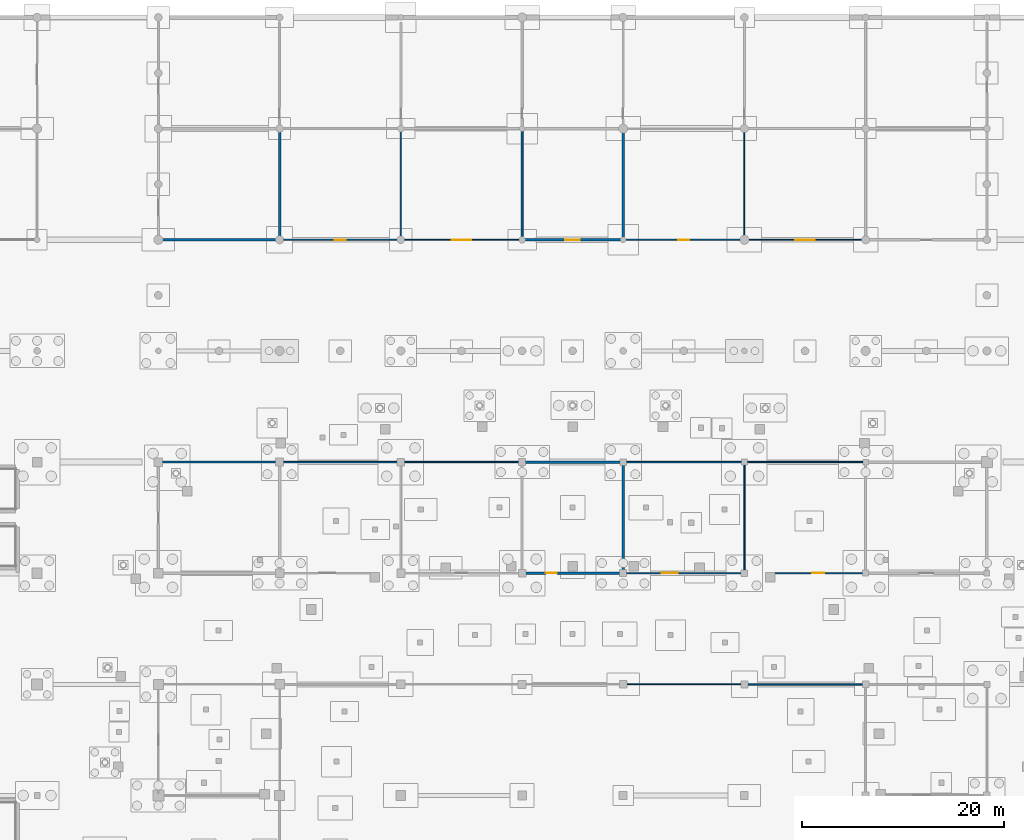
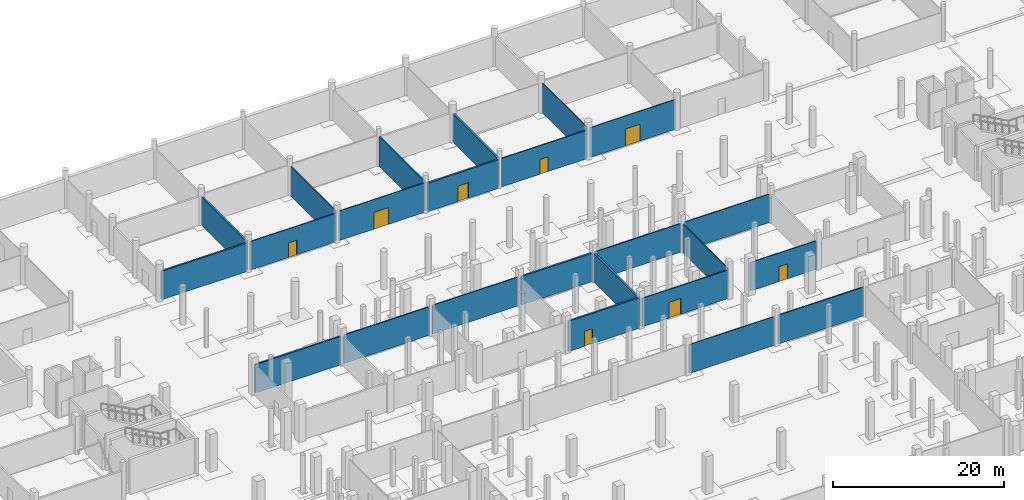
# One storey, part 35 of 60: 24 walls, 8 doors, 8 openings.
"""IFC4 building model written with IfcOpenShell, lengths in metres."""

from ifc_helpers import new_model, si_unit, direction, frame, frame_2d, origin, place, context, subcontext, project, spatial, rectangle, extrude, material, layer, layer_set, type_object, element, fill, save


model = new_model("IFC4")

# Units and contexts
model_context = context("Model", 3, precision=1e-05, world=origin(), true_north=direction((0.0, 1.0)))
body_context = subcontext(model_context, "Body", "Model", "MODEL_VIEW")
ifc_project = project(units=[si_unit("LENGTHUNIT", "METRE"), si_unit("AREAUNIT", "SQUARE_METRE"), si_unit("VOLUMEUNIT", "CUBIC_METRE"), si_unit("PLANEANGLEUNIT", "RADIAN"), si_unit("MASSUNIT", "GRAM", prefix="KILO")], contexts=[model_context])

# Site, building, storey
site_placement = place(None, origin())
site = spatial("IfcSite", under=ifc_project, at=site_placement, CompositionType="ELEMENT")
building_placement = place(site_placement, origin())
building = spatial("IfcBuilding", under=site, at=building_placement, Name="Luwafu Chhajja Arena", CompositionType="ELEMENT")
storey_placement = place(building_placement, frame((0.0, 0.0, -5.39990234375)))
storey = spatial("IfcBuildingStorey", under=building, at=storey_placement, Name="B1", CompositionType="ELEMENT", Elevation=-5.39990234375)

# Wall, opening, door
ifc_material_1 = material(Name="Concrete blockwork masonry", Category="masonry")
ifc_layer_1 = layer(ifc_material_1, 0.239990234375, Name="Concrete blockwork masonry")
ifc_layer_set_1 = layer_set([ifc_layer_1], Name="Concrete blockwork masonry")
wall_type_1 = type_object("IfcWallType", Name="Compartment Masonry Partition 240", PredefinedType="PARTITIONING", material=ifc_layer_set_1)
wall_1_placement = place(storey_placement, frame((94.219970703125, 77.0, 0.0), z_axis=(0.0, 0.0, 1.0), x_axis=(1.0, 0.0, 0.0)))
wall_1 = element("IfcWall", 1, at=wall_1_placement, inside=storey, type_object=wall_type_1, Name="B1 Internal Partition 0053", PredefinedType="PARTITIONING", context=body_context, shape_type="SweptSolid", body=[
    extrude(rectangle(XDim=9.56005859375, YDim=0.239990234375, at=frame_2d((4.780029296875, 0.0))), origin(), (0.0, 0.0, 1.0), 4.346435546875),
])
opening_1_placement = place(wall_1_placement, frame((2.13671875, 0.0, 0.0)))
opening_1 = element("IfcOpeningElement", 2, at=opening_1_placement, cuts=wall_1, Name="Opening DR-10", PredefinedType="OPENING", context=body_context, shape_type="SweptSolid", body=[
    extrude(rectangle(XDim=1.080078125, YDim=2.14990234375, at=frame_2d((0.5400390625, 1.074951171875))), frame((0.0, 0.1298828125, 0.0), z_axis=(0.0, -1.0, 0.0), x_axis=(1.0, 0.0, 0.0)), (0.0, 0.0, 1.0), 0.260009765625),
])
ifc_material_2 = material(Name="Fire-rated hardwood leaf", Category="wood")
door_type_1 = type_object("IfcDoorType", Name="DR-10", OperationType="NOTDEFINED", PredefinedType="DOOR", material=ifc_material_2)
door_1_placement = place(opening_1_placement, origin())
door_1 = element("IfcDoor", 3, at=door_1_placement, inside=storey, type_object=door_type_1, Name="B1 Interior Door B1-D049", OperationType="SINGLE_SWING_LEFT", OverallHeight=2.14990234375, OverallWidth=1.080078125, PredefinedType="DOOR", context=body_context, shape_type="SweptSolid", body=[
    extrude(rectangle(XDim=1.080078125, YDim=2.14990234375, at=frame_2d((0.5400390625, 1.074951171875))), frame((0.0, 0.02490234375, 0.0), z_axis=(0.0, -1.0, 0.0), x_axis=(1.0, 0.0, 0.0)), (0.0, 0.0, 1.0), 0.050048828125),
])
fill(opening_1, door_1)

# Wall
wall_2_placement = place(storey_placement, frame((94.219970703125, 88.0, 0.0), z_axis=(0.0, 0.0, 1.0), x_axis=(1.0, 0.0, 0.0)))
element("IfcWall", 4, at=wall_2_placement, inside=storey, type_object=wall_type_1, Name="B1 Internal Partition 0054", PredefinedType="PARTITIONING", context=body_context, shape_type="SweptSolid", body=[
    extrude(rectangle(XDim=9.56005859375, YDim=0.239990234375, at=frame_2d((4.780029296875, 0.0))), origin(), (0.0, 0.0, 1.0), 4.079833984375),
])

# Wall, opening, door
wall_3_placement = place(storey_placement, frame((94.219970703125, 110.0, 0.0), z_axis=(0.0, 0.0, 1.0), x_axis=(1.0, 0.0, 0.0)))
wall_3 = element("IfcWall", 5, at=wall_3_placement, inside=storey, type_object=wall_type_1, Name="B1 Internal Partition 0055", PredefinedType="PARTITIONING", context=body_context, shape_type="SweptSolid", body=[
    extrude(rectangle(XDim=9.56005859375, YDim=0.239990234375, at=frame_2d((4.780029296875, 0.0))), origin(), (0.0, 0.0, 1.0), 4.079833984375),
])
opening_2_placement = place(wall_3_placement, frame((4.070068359375, 0.0, 0.0)))
opening_2 = element("IfcOpeningElement", 6, at=opening_2_placement, cuts=wall_3, Name="Opening DR-12", PredefinedType="OPENING", context=body_context, shape_type="SweptSolid", body=[
    extrude(rectangle(XDim=1.419921875, YDim=2.25, at=frame_2d((0.7099609375, 1.125))), frame((0.0, 0.1298828125, 0.0), z_axis=(0.0, -1.0, 0.0), x_axis=(1.0, 0.0, 0.0)), (0.0, 0.0, 1.0), 0.260009765625),
])
ifc_material_3 = material(Name="Powder-coated steel fire leaf", Category="steel")
door_type_2 = type_object("IfcDoorType", Name="DR-12", OperationType="NOTDEFINED", PredefinedType="DOOR", material=ifc_material_3)
door_2_placement = place(opening_2_placement, origin())
door_2 = element("IfcDoor", 7, at=door_2_placement, inside=storey, type_object=door_type_2, Name="B1 Interior Door B1-D050", OperationType="SINGLE_SWING_RIGHT", OverallHeight=2.25, OverallWidth=1.419921875, PredefinedType="DOOR", context=body_context, shape_type="SweptSolid", body=[
    extrude(rectangle(XDim=1.419921875, YDim=2.25, at=frame_2d((0.7099609375, 1.125))), frame((0.0, 0.02490234375, 0.0), z_axis=(0.0, -1.0, 0.0), x_axis=(1.0, 0.0, 0.0)), (0.0, 0.0, 1.0), 0.050048828125),
])
fill(opening_2, door_2)

# Walls
for number, where, z_axis, x_axis, name in (
    (8, (70.0, 110.219970703125, 0.0), (0.0, 0.0, 1.0), (0.0, 1.0, 0.0), "B1 Internal Partition 0108"),
    (9, (104.0, 77.219970703125, 0.0), (0.0, 0.0, 1.0), (0.0, 1.0, 0.0), "B1 Internal Partition 0118"),
    (10, (104.0, 110.219970703125, 0.0), (0.0, 0.0, 1.0), (0.0, 1.0, 0.0), "B1 Internal Partition 0120"),
):
    element("IfcWall", number, at=place(storey_placement, frame(where, z_axis=z_axis, x_axis=x_axis)), inside=storey, type_object=wall_type_1, Name=name, PredefinedType="PARTITIONING", context=body_context, shape_type="SweptSolid", body=[
        extrude(rectangle(XDim=10.56005859375, YDim=0.239990234375, at=frame_2d((5.280029296875, 0.0))), origin(), (0.0, 0.0, 1.0), 4.079833984375),
    ])
ifc_material_4 = material(Name="Lightweight blockwork partition", Category="masonry")
ifc_layer_2 = layer(ifc_material_4, 0.139892578125, Name="Lightweight blockwork partition")
ifc_layer_set_2 = layer_set([ifc_layer_2], Name="Lightweight blockwork partition")
wall_type_2 = type_object("IfcWallType", Name="Concourse Kiosk Partition 140", PredefinedType="PARTITIONING", material=ifc_layer_set_2)
wall_4_placement = place(storey_placement, frame((116.219970703125, 66.0, 0.0), z_axis=(0.0, 0.0, 1.0), x_axis=(1.0, 0.0, 0.0)))
element("IfcWall", 11, at=wall_4_placement, inside=storey, type_object=wall_type_2, Name="B1 Internal Partition 0011", PredefinedType="PARTITIONING", context=body_context, shape_type="SweptSolid", body=[
    extrude(rectangle(XDim=11.56005859375, YDim=0.139892578125, at=frame_2d((5.780029296875, 0.0))), origin(), (0.0, 0.0, 1.0), 4.1298828125),
])
wall_5_placement = place(storey_placement, frame((70.219970703125, 88.0, 0.0), z_axis=(0.0, 0.0, 1.0), x_axis=(1.0, 0.0, 0.0)))
element("IfcWall", 12, at=wall_5_placement, inside=storey, type_object=wall_type_2, Name="B1 Internal Partition 0048", PredefinedType="PARTITIONING", context=body_context, shape_type="SweptSolid", body=[
    extrude(rectangle(XDim=11.56005859375, YDim=0.139892578125, at=frame_2d((5.780029296875, 0.0))), origin(), (0.0, 0.0, 1.0), 4.079833984375),
])

# Wall, opening, door
wall_6_placement = place(storey_placement, frame((104.219970703125, 77.0, 0.0), z_axis=(0.0, 0.0, 1.0), x_axis=(1.0, 0.0, 0.0)))
wall_6 = element("IfcWall", 13, at=wall_6_placement, inside=storey, type_object=wall_type_2, Name="B1 Internal Partition 0056", PredefinedType="PARTITIONING", context=body_context, shape_type="SweptSolid", body=[
    extrude(rectangle(XDim=11.56005859375, YDim=0.139892578125, at=frame_2d((5.780029296875, 0.0))), origin(), (0.0, 0.0, 1.0), 4.079833984375),
])
opening_3_placement = place(wall_6_placement, frame((3.582763671875, 0.0, 0.0)))
opening_3 = element("IfcOpeningElement", 14, at=opening_3_placement, cuts=wall_6, Name="Opening DR-23", PredefinedType="OPENING", context=body_context, shape_type="SweptSolid", body=[
    extrude(rectangle(XDim=1.6201171875, YDim=2.25, at=frame_2d((0.81005859375, 1.125))), frame((0.0, 0.079833984375, 0.0), z_axis=(0.0, -1.0, 0.0), x_axis=(1.0, 0.0, 0.0)), (0.0, 0.0, 1.0), 0.159912109375),
])
ifc_material_5 = material(Name="Hardwood flush glazed double door", Category="wood")
door_type_3 = type_object("IfcDoorType", Name="DR-23", OperationType="DOUBLE_DOOR_SINGLE_SWING", PredefinedType="DOOR", material=ifc_material_5)
door_3_placement = place(opening_3_placement, origin())
door_3 = element("IfcDoor", 15, at=door_3_placement, inside=storey, type_object=door_type_3, Name="B1 Interior Door B1-D051", OperationType="DOUBLE_DOOR_SINGLE_SWING", OverallHeight=2.25, OverallWidth=1.6201171875, PredefinedType="DOOR", context=body_context, shape_type="SweptSolid", body=[
    extrude(rectangle(XDim=1.6201171875, YDim=2.25, at=frame_2d((0.81005859375, 1.125))), frame((0.0, 0.02490234375, 0.0), z_axis=(0.0, -1.0, 0.0), x_axis=(1.0, 0.0, 0.0)), (0.0, 0.0, 1.0), 0.050048828125),
])
fill(opening_3, door_3)

# Walls
wall_7_placement = place(storey_placement, frame((104.219970703125, 88.0, 0.0), z_axis=(0.0, 0.0, 1.0), x_axis=(1.0, 0.0, 0.0)))
element("IfcWall", 16, at=wall_7_placement, inside=storey, type_object=wall_type_2, Name="B1 Internal Partition 0057", PredefinedType="PARTITIONING", context=body_context, shape_type="SweptSolid", body=[
    extrude(rectangle(XDim=11.56005859375, YDim=0.139892578125, at=frame_2d((5.780029296875, 0.0))), origin(), (0.0, 0.0, 1.0), 4.079833984375),
])
ifc_material_6 = material(Name="Gypsum plasterboard partition")
ifc_layer_3 = layer(ifc_material_6, 0.10009765625, Name="Gypsum plasterboard partition")
ifc_layer_set_3 = layer_set([ifc_layer_3], Name="Gypsum plasterboard partition")
wall_type_3 = type_object("IfcWallType", Name="Drywall Lining Partition 100", PredefinedType="PARTITIONING", material=ifc_layer_set_3)
wall_8_placement = place(storey_placement, frame((104.219970703125, 66.0, 0.0), z_axis=(0.0, 0.0, 1.0), x_axis=(1.0, 0.0, 0.0)))
element("IfcWall", 17, at=wall_8_placement, inside=storey, type_object=wall_type_3, Name="B1 Internal Partition 0009", PredefinedType="PARTITIONING", context=body_context, shape_type="SweptSolid", body=[
    extrude(rectangle(XDim=11.56005859375, YDim=0.10009765625, at=frame_2d((5.780029296875, 0.0))), origin(), (0.0, 0.0, 1.0), 4.1298828125),
])

# Wall, opening, door
wall_9_placement = place(storey_placement, frame((82.219970703125, 110.0, 0.0), z_axis=(0.0, 0.0, 1.0), x_axis=(1.0, 0.0, 0.0)))
wall_9 = element("IfcWall", 18, at=wall_9_placement, inside=storey, type_object=wall_type_3, Name="B1 Internal Partition 0052", PredefinedType="PARTITIONING", context=body_context, shape_type="SweptSolid", body=[
    extrude(rectangle(XDim=11.56005859375, YDim=0.10009765625, at=frame_2d((5.780029296875, 0.0))), origin(), (0.0, 0.0, 1.0), 4.22998046875),
])
opening_4_placement = place(wall_9_placement, frame((4.804931640625, 0.0, 0.0)))
opening_4 = element("IfcOpeningElement", 19, at=opening_4_placement, cuts=wall_9, Name="Opening DR-25", PredefinedType="OPENING", context=body_context, shape_type="SweptSolid", body=[
    extrude(rectangle(XDim=1.949951171875, YDim=2.39990234375, at=frame_2d((0.97509765625, 1.199951171875))), frame((0.0, 0.06005859375, 0.0), z_axis=(0.0, -1.0, 0.0), x_axis=(1.0, 0.0, 0.0)), (0.0, 0.0, 1.0), 0.1201171875),
])
ifc_material_7 = material(Name="Anodised bronze glazed double door")
door_type_4 = type_object("IfcDoorType", Name="DR-25", OperationType="DOUBLE_DOOR_SINGLE_SWING", PredefinedType="DOOR", material=ifc_material_7)
door_4_placement = place(opening_4_placement, origin())
door_4 = element("IfcDoor", 20, at=door_4_placement, inside=storey, type_object=door_type_4, Name="B1 Interior Door B1-D048", OperationType="DOUBLE_DOOR_SINGLE_SWING", OverallHeight=2.39990234375, OverallWidth=1.949951171875, PredefinedType="DOOR", context=body_context, shape_type="SweptSolid", body=[
    extrude(rectangle(XDim=1.949951171875, YDim=2.39990234375, at=frame_2d((0.97509765625, 1.199951171875))), frame((0.0, 0.02490234375, 0.0), z_axis=(0.0, -1.0, 0.0), x_axis=(1.0, 0.0, 0.0)), (0.0, 0.0, 1.0), 0.050048828125),
])
fill(opening_4, door_4)

wall_10_placement = place(storey_placement, frame((116.219970703125, 110.0, 0.0), z_axis=(0.0, 0.0, 1.0), x_axis=(1.0, 0.0, 0.0)))
wall_10 = element("IfcWall", 21, at=wall_10_placement, inside=storey, type_object=wall_type_3, Name="B1 Internal Partition 0061", PredefinedType="PARTITIONING", context=body_context, shape_type="SweptSolid", body=[
    extrude(rectangle(XDim=11.56005859375, YDim=0.10009765625, at=frame_2d((5.780029296875, 0.0))), origin(), (0.0, 0.0, 1.0), 4.27978515625),
])
opening_5_placement = place(wall_10_placement, frame((4.804931640625, 0.0, 0.0)))
opening_5 = element("IfcOpeningElement", 22, at=opening_5_placement, cuts=wall_10, Name="Opening DR-25", PredefinedType="OPENING", context=body_context, shape_type="SweptSolid", body=[
    extrude(rectangle(XDim=1.949951171875, YDim=2.39990234375, at=frame_2d((0.97509765625, 1.199951171875))), frame((0.0, 0.06005859375, 0.0), z_axis=(0.0, -1.0, 0.0), x_axis=(1.0, 0.0, 0.0)), (0.0, 0.0, 1.0), 0.1201171875),
])
door_5_placement = place(opening_5_placement, origin())
door_5 = element("IfcDoor", 23, at=door_5_placement, inside=storey, type_object=door_type_4, Name="B1 Interior Door B1-D054", OperationType="DOUBLE_DOOR_SINGLE_SWING", OverallHeight=2.39990234375, OverallWidth=1.949951171875, PredefinedType="DOOR", context=body_context, shape_type="SweptSolid", body=[
    extrude(rectangle(XDim=1.949951171875, YDim=2.39990234375, at=frame_2d((0.97509765625, 1.199951171875))), frame((0.0, 0.02490234375, 0.0), z_axis=(0.0, -1.0, 0.0), x_axis=(1.0, 0.0, 0.0)), (0.0, 0.0, 1.0), 0.050048828125),
])
fill(opening_5, door_5)

# Walls
wall_11_placement = place(storey_placement, frame((116.0, 110.219970703125, 0.0), z_axis=(0.0, 0.0, 1.0), x_axis=(0.0, 1.0, 0.0)))
element("IfcWall", 24, at=wall_11_placement, inside=storey, type_object=wall_type_3, Name="B1 Internal Partition 0124", PredefinedType="PARTITIONING", context=body_context, shape_type="SweptSolid", body=[
    extrude(rectangle(XDim=10.56005859375, YDim=0.10009765625, at=frame_2d((5.280029296875, 0.0))), origin(), (0.0, 0.0, 1.0), 4.27978515625),
])
ifc_layer_4 = layer(ifc_material_1, 0.179931640625, Name="Concrete blockwork masonry")
ifc_layer_set_4 = layer_set([ifc_layer_4], Name="Concrete blockwork masonry")
wall_type_4 = type_object("IfcWallType", Name="Hospitality Suite Partition 180", PredefinedType="PARTITIONING", material=ifc_layer_set_4)
wall_12_placement = place(storey_placement, frame((94.0, 110.219970703125, 0.0), z_axis=(0.0, 0.0, 1.0), x_axis=(0.0, 1.0, 0.0)))
element("IfcWall", 25, at=wall_12_placement, inside=storey, type_object=wall_type_4, Name="B1 Internal Partition 0116", PredefinedType="PARTITIONING", context=body_context, shape_type="SweptSolid", body=[
    extrude(rectangle(XDim=10.56005859375, YDim=0.179931640625, at=frame_2d((5.280029296875, 0.0))), origin(), (0.0, 0.0, 1.0), 4.27978515625),
])

# Wall, opening, door
ifc_material_8 = material(Name="Acoustic metal-stud gypsum board")
ifc_layer_5 = layer(ifc_material_8, 0.1201171875, Name="Acoustic metal-stud gypsum board")
ifc_layer_set_5 = layer_set([ifc_layer_5], Name="Acoustic metal-stud gypsum board")
wall_type_5 = type_object("IfcWallType", Name="Internal Room Partition 120", PredefinedType="PARTITIONING", material=ifc_layer_set_5)
wall_13_placement = place(storey_placement, frame((70.219970703125, 110.0, 0.0), z_axis=(0.0, 0.0, 1.0), x_axis=(1.0, 0.0, 0.0)))
wall_13 = element("IfcWall", 26, at=wall_13_placement, inside=storey, type_object=wall_type_5, Name="B1 Internal Partition 0049", PredefinedType="PARTITIONING", context=body_context, shape_type="SweptSolid", body=[
    extrude(rectangle(XDim=11.56005859375, YDim=0.1201171875, at=frame_2d((5.780029296875, 0.0))), origin(), (0.0, 0.0, 1.0), 4.079833984375),
])
opening_6_placement = place(wall_13_placement, frame((5.22998046875, 0.0, 0.0)))
opening_6 = element("IfcOpeningElement", 27, at=opening_6_placement, cuts=wall_13, Name="Opening DR-20", PredefinedType="OPENING", context=body_context, shape_type="SweptSolid", body=[
    extrude(rectangle(XDim=1.10009765625, YDim=2.10009765625, at=frame_2d((0.550048828125, 1.050048828125))), frame((0.0, 0.070068359375, 0.0), z_axis=(0.0, -1.0, 0.0), x_axis=(1.0, 0.0, 0.0)), (0.0, 0.0, 1.0), 0.14013671875),
])
ifc_material_9 = material(Name="Hygienic laminate single leaf")
door_type_5 = type_object("IfcDoorType", Name="DR-20", OperationType="NOTDEFINED", PredefinedType="DOOR", material=ifc_material_9)
door_6_placement = place(opening_6_placement, origin())
door_6 = element("IfcDoor", 28, at=door_6_placement, inside=storey, type_object=door_type_5, Name="B1 Interior Door B1-D046", OperationType="SINGLE_SWING_LEFT", OverallHeight=2.10009765625, OverallWidth=1.10009765625, PredefinedType="DOOR", context=body_context, shape_type="SweptSolid", body=[
    extrude(rectangle(XDim=1.10009765625, YDim=2.10009765625, at=frame_2d((0.550048828125, 1.050048828125))), frame((0.0, 0.02490234375, 0.0), z_axis=(0.0, -1.0, 0.0), x_axis=(1.0, 0.0, 0.0)), (0.0, 0.0, 1.0), 0.050048828125),
])
fill(opening_6, door_6)

# Wall
wall_14_placement = place(storey_placement, frame((82.219970703125, 88.0, 0.0), z_axis=(0.0, 0.0, 1.0), x_axis=(1.0, 0.0, 0.0)))
element("IfcWall", 29, at=wall_14_placement, inside=storey, type_object=wall_type_5, Name="B1 Internal Partition 0051", PredefinedType="PARTITIONING", context=body_context, shape_type="SweptSolid", body=[
    extrude(rectangle(XDim=11.56005859375, YDim=0.1201171875, at=frame_2d((5.780029296875, 0.0))), origin(), (0.0, 0.0, 1.0), 4.1298828125),
])

# Wall, opening, door
wall_15_placement = place(storey_placement, frame((104.219970703125, 110.0, 0.0), z_axis=(0.0, 0.0, 1.0), x_axis=(1.0, 0.0, 0.0)))
wall_15 = element("IfcWall", 30, at=wall_15_placement, inside=storey, type_object=wall_type_5, Name="B1 Internal Partition 0058", PredefinedType="PARTITIONING", context=body_context, shape_type="SweptSolid", body=[
    extrude(rectangle(XDim=11.56005859375, YDim=0.1201171875, at=frame_2d((5.780029296875, 0.0))), origin(), (0.0, 0.0, 1.0), 4.079833984375),
])
opening_7_placement = place(wall_15_placement, frame((5.22998046875, 0.0, 0.0)))
opening_7 = element("IfcOpeningElement", 31, at=opening_7_placement, cuts=wall_15, Name="Opening DR-20", PredefinedType="OPENING", context=body_context, shape_type="SweptSolid", body=[
    extrude(rectangle(XDim=1.10009765625, YDim=2.10009765625, at=frame_2d((0.550048828125, 1.050048828125))), frame((0.0, 0.070068359375, 0.0), z_axis=(0.0, -1.0, 0.0), x_axis=(1.0, 0.0, 0.0)), (0.0, 0.0, 1.0), 0.14013671875),
])
door_7_placement = place(opening_7_placement, origin())
door_7 = element("IfcDoor", 32, at=door_7_placement, inside=storey, type_object=door_type_5, Name="B1 Interior Door B1-D052", OperationType="SINGLE_SWING_LEFT", OverallHeight=2.10009765625, OverallWidth=1.10009765625, PredefinedType="DOOR", context=body_context, shape_type="SweptSolid", body=[
    extrude(rectangle(XDim=1.10009765625, YDim=2.10009765625, at=frame_2d((0.550048828125, 1.050048828125))), frame((0.0, 0.02490234375, 0.0), z_axis=(0.0, -1.0, 0.0), x_axis=(1.0, 0.0, 0.0)), (0.0, 0.0, 1.0), 0.050048828125),
])
fill(opening_7, door_7)

wall_16_placement = place(storey_placement, frame((118.796630859375, 77.0, 0.0), z_axis=(0.0, 0.0, 1.0), x_axis=(1.0, 0.0, 0.0)))
wall_16 = element("IfcWall", 33, at=wall_16_placement, inside=storey, type_object=wall_type_5, Name="B1 Internal Partition 0059", PredefinedType="PARTITIONING", context=body_context, shape_type="SweptSolid", body=[
    extrude(rectangle(XDim=8.9833984375, YDim=0.1201171875, at=frame_2d((4.49169921875, 0.0))), origin(), (0.0, 0.0, 1.0), 4.079833984375),
])
opening_8_placement = place(wall_16_placement, frame((3.901611328125, 0.0, 0.0)))
opening_8 = element("IfcOpeningElement", 34, at=opening_8_placement, cuts=wall_16, Name="Opening DR-21", PredefinedType="OPENING", context=body_context, shape_type="SweptSolid", body=[
    extrude(rectangle(XDim=1.179931640625, YDim=2.14990234375, at=frame_2d((0.58984375, 1.074951171875))), frame((0.0, 0.070068359375, 0.0), z_axis=(0.0, -1.0, 0.0), x_axis=(1.0, 0.0, 0.0)), (0.0, 0.0, 1.0), 0.14013671875),
])
door_type_6 = type_object("IfcDoorType", Name="DR-21", OperationType="NOTDEFINED", PredefinedType="DOOR", material=ifc_material_9)
door_8_placement = place(opening_8_placement, origin())
door_8 = element("IfcDoor", 35, at=door_8_placement, inside=storey, type_object=door_type_6, Name="B1 Interior Door B1-D053", OperationType="SINGLE_SWING_RIGHT", OverallHeight=2.14990234375, OverallWidth=1.179931640625, PredefinedType="DOOR", context=body_context, shape_type="SweptSolid", body=[
    extrude(rectangle(XDim=1.179931640625, YDim=2.14990234375, at=frame_2d((0.58984375, 1.074951171875))), frame((0.0, 0.02490234375, 0.0), z_axis=(0.0, -1.0, 0.0), x_axis=(1.0, 0.0, 0.0)), (0.0, 0.0, 1.0), 0.050048828125),
])
fill(opening_8, door_8)

# Walls
wall_17_placement = place(storey_placement, frame((116.219970703125, 88.0, 0.0), z_axis=(0.0, 0.0, 1.0), x_axis=(1.0, 0.0, 0.0)))
element("IfcWall", 36, at=wall_17_placement, inside=storey, type_object=wall_type_5, Name="B1 Internal Partition 0060", PredefinedType="PARTITIONING", context=body_context, shape_type="SweptSolid", body=[
    extrude(rectangle(XDim=11.56005859375, YDim=0.1201171875, at=frame_2d((5.780029296875, 0.0))), origin(), (0.0, 0.0, 1.0), 4.079833984375),
])
wall_18_placement = place(storey_placement, frame((82.0, 110.219970703125, 0.0), z_axis=(0.0, 0.0, 1.0), x_axis=(0.0, 1.0, 0.0)))
element("IfcWall", 37, at=wall_18_placement, inside=storey, type_object=wall_type_5, Name="B1 Internal Partition 0112", PredefinedType="PARTITIONING", context=body_context, shape_type="SweptSolid", body=[
    extrude(rectangle(XDim=10.56005859375, YDim=0.1201171875, at=frame_2d((5.280029296875, 0.0))), origin(), (0.0, 0.0, 1.0), 4.22998046875),
])
wall_19_placement = place(storey_placement, frame((116.0, 77.219970703125, 0.0), z_axis=(0.0, 0.0, 1.0), x_axis=(0.0, 1.0, 0.0)))
element("IfcWall", 38, at=wall_19_placement, inside=storey, type_object=wall_type_5, Name="B1 Internal Partition 0122", PredefinedType="PARTITIONING", context=body_context, shape_type="SweptSolid", body=[
    extrude(rectangle(XDim=10.56005859375, YDim=0.1201171875, at=frame_2d((5.280029296875, 0.0))), origin(), (0.0, 0.0, 1.0), 4.079833984375),
])
ifc_layer_6 = layer(ifc_material_1, 0.219970703125, Name="Concrete blockwork masonry")
ifc_layer_set_6 = layer_set([ifc_layer_6], Name="Concrete blockwork masonry")
wall_type_6 = type_object("IfcWallType", Name="Protected Corridor Partition 220", PredefinedType="PARTITIONING", material=ifc_layer_set_6)
for number, where, z_axis, x_axis, name in (
    (39, (58.219970703125, 88.0, 0.0), (0.0, 0.0, 1.0), (1.0, 0.0, 0.0), "B1 Internal Partition 0045"),
    (40, (58.219970703125, 110.0, 0.0), (0.0, 0.0, 1.0), (1.0, 0.0, 0.0), "B1 Internal Partition 0046"),
):
    element("IfcWall", number, at=place(storey_placement, frame(where, z_axis=z_axis, x_axis=x_axis)), inside=storey, type_object=wall_type_6, Name=name, PredefinedType="PARTITIONING", context=body_context, shape_type="SweptSolid", body=[
        extrude(rectangle(XDim=11.56005859375, YDim=0.219970703125, at=frame_2d((5.780029296875, 0.0))), origin(), (0.0, 0.0, 1.0), 4.079833984375),
    ])

save(model, "model.ifc")
